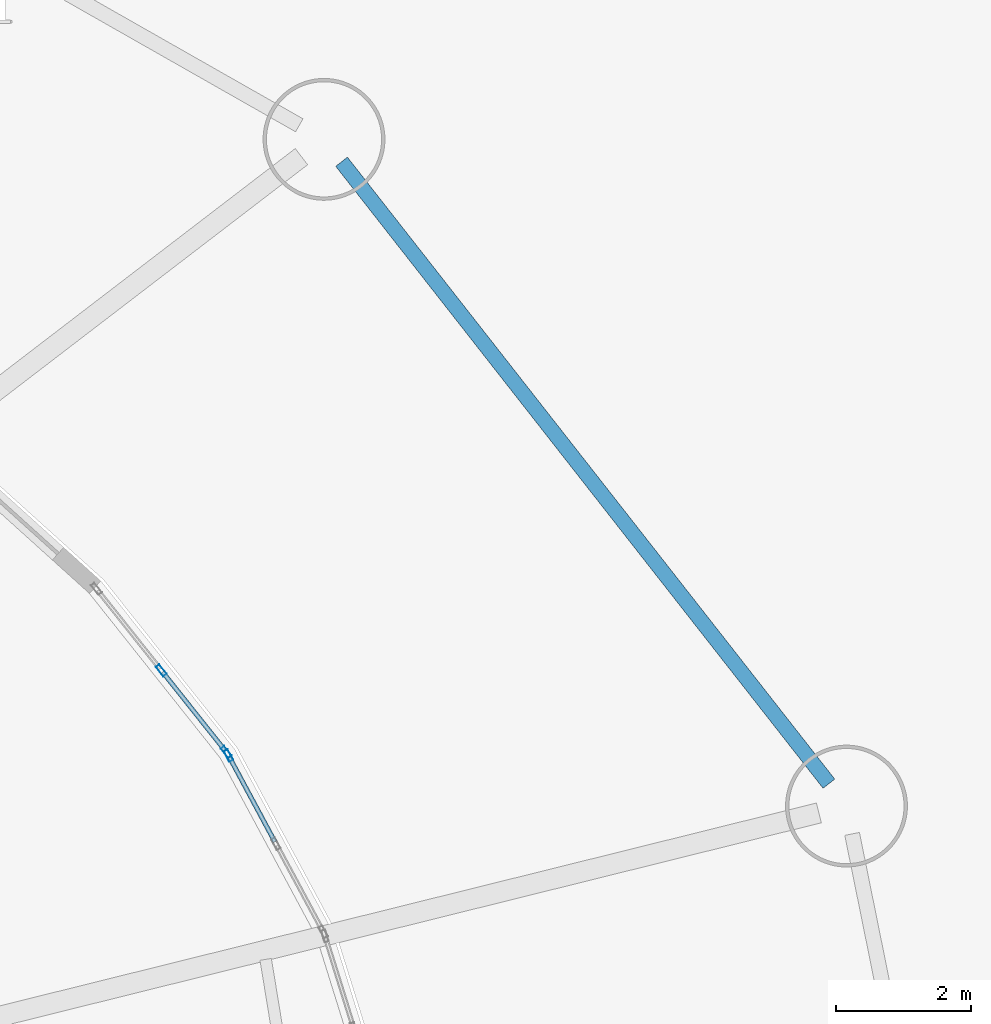
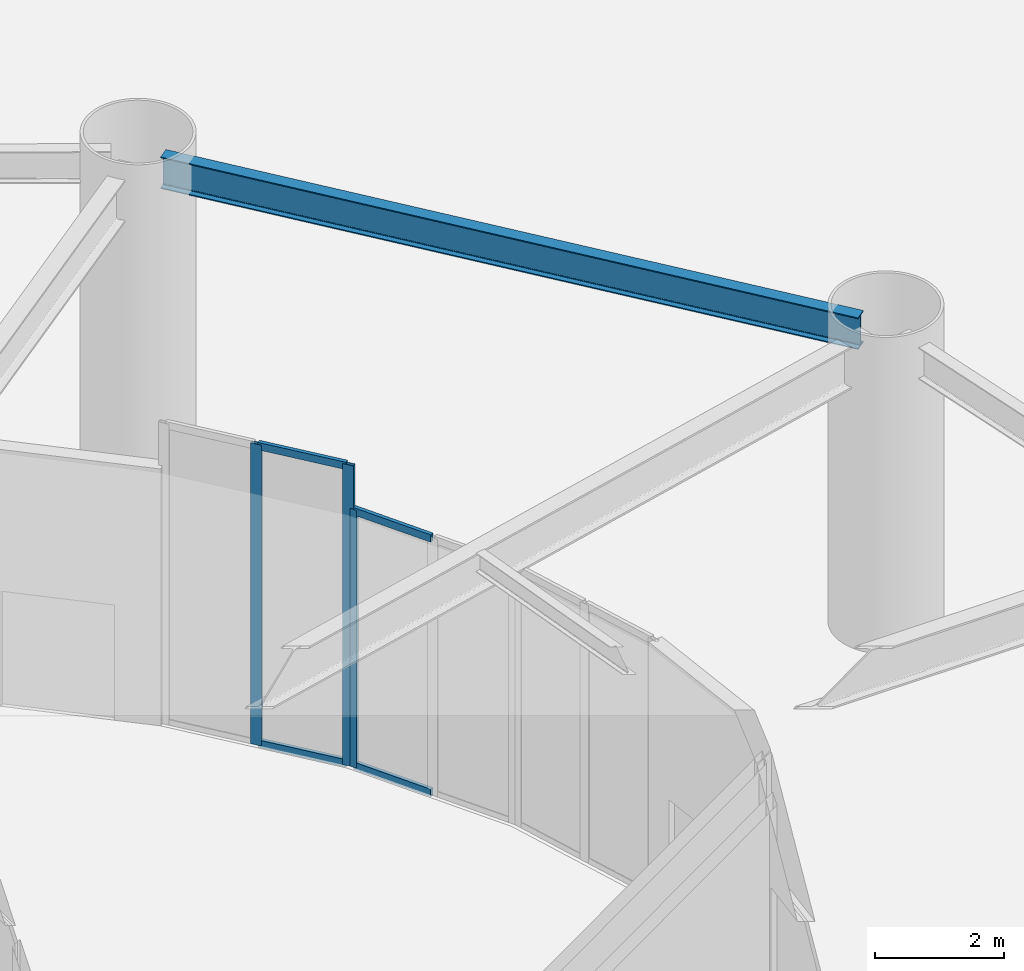
# One storey, part 24 of 46: 7 members, 1 beam, 2 elements without a shape of their own.
"""IFC4 building model written with IfcOpenShell, lengths in metres."""

from ifc_helpers import new_model, si_unit, direction, frame, origin, origin_2d, place, context, subcontext, project, spatial, hollow_rectangle, i_section, extrude, source, transform, mapped, material, layer, layer_set, material_profile, profile_set, type_object, element, aggregate, save


model = new_model("IFC4")

# Units and contexts
model_context = context("Model", 3, precision=1e-05, world=origin(), true_north=direction((0.0, 1.0)))
body_context = subcontext(model_context, "Body", "Model", "MODEL_VIEW")
ifc_project = project(units=[si_unit("LENGTHUNIT", "METRE"), si_unit("AREAUNIT", "SQUARE_METRE"), si_unit("VOLUMEUNIT", "CUBIC_METRE"), si_unit("PLANEANGLEUNIT", "RADIAN"), si_unit("MASSUNIT", "GRAM", prefix="KILO")], contexts=[model_context])

# Site, building, storey
site_placement = place(None, origin())
site = spatial("IfcSite", under=ifc_project, at=site_placement, CompositionType="ELEMENT")
building_placement = place(site_placement, origin())
building = spatial("IfcBuilding", under=site, at=building_placement, Name="Linh Dai School and Residence Tower", CompositionType="ELEMENT")
storey_placement = place(building_placement, origin())
storey = spatial("IfcBuildingStorey", under=building, at=storey_placement, Name="L00", CompositionType="ELEMENT", Elevation=0.0)

# Beam
ifc_material_1 = material(Name="Structural Steel S355JR", Category="steel")
ifc_material_profile_1 = material_profile(ifc_material_1, i_section(OverallWidth=0.219970703125, OverallDepth=0.60009765625, WebThickness=0.011962890625, FlangeThickness=0.01904296875, FilletRadius=0.02392578125, at=origin_2d()), Name="IPE 600")
ifc_profile_set_1 = profile_set([ifc_material_profile_1], Name="Structural Steel S355JR")
beam_type = type_object("IfcBeamType", Name="BM-RB60", PredefinedType="BEAM", material=ifc_profile_set_1)
beam_placement = place(storey_placement, frame((66.161376953125, 34.885986328125, 5.39990234375), z_axis=(-0.616811949607, 0.787110550572, 0.0), x_axis=(-0.787110550572, -0.616811949607, 0.0)))
element("IfcBeam", 1, at=beam_placement, inside=storey, type_object=beam_type, Name="L00 Perimeter Elliptical Ring Beam 02", PredefinedType="BEAM", context=body_context, shape_type="SweptSolid", body=[
    extrude(i_section(OverallWidth=0.219970703125, OverallDepth=0.60009765625, WebThickness=0.011962890625, FlangeThickness=0.01904296875, FilletRadius=0.02392578125, at=origin_2d()), origin(), (0.0, 0.0, 1.0), 11.668212890625),
])

# Curtain wall, members
ifc_material_2 = material(Name="Aluminium Anodised Curtain Wall", Category="aluminium")
ifc_layer = layer(ifc_material_2, 0.179931640625)
ifc_layer_set = layer_set([ifc_layer], Name="Aluminium Anodised Curtain Wall")
curtain_wall_type = type_object("IfcCurtainWallType", Name="CW-SYS-1", PredefinedType="USERDEFINED", material=ifc_layer_set)
curtain_wall_1_placement = place(storey_placement, origin())
curtain_wall_1 = element("IfcCurtainWall", 2, at=curtain_wall_1_placement, inside=storey, type_object=curtain_wall_type, Name="L00 CW1 Curtain Wall 03", ObjectType="UNITISED CURTAIN WALL", PredefinedType="USERDEFINED")
ifc_material_3 = material(Name="Aluminium Alloy 6063-T6", Category="aluminium")
ifc_material_profile_2 = material_profile(ifc_material_3, hollow_rectangle(XDim=0.06494140625, YDim=0.179931640625, WallThickness=0.00390625, at=origin_2d()), Name="RHS 180x65x4")
ifc_profile_set_2 = profile_set([ifc_material_profile_2], Name="Aluminium Alloy 6063-T6")
member_type_1 = type_object("IfcMemberType", Name="CW-SYS-1-MUL", PredefinedType="MULLION", material=ifc_profile_set_2)
shared_shape_1 = source(origin(), body_context, "Body", "SweptSolid", [
    extrude(hollow_rectangle(XDim=0.06494140625, YDim=0.179931640625, WallThickness=0.00390625, at=origin_2d()), origin(), (0.0, 0.0, 1.0), 4.885009765625),
])
member_1_placement = place(storey_placement, frame((57.295166015625, 35.30126953125, 0.0), z_axis=(0.0, 0.0, 1.0), x_axis=(0.880871524135, 0.473355424568, 0.0)))
member_1 = element("IfcMember", 3, at=member_1_placement, type_object=member_type_1, Name="CW1 mullion 1", PredefinedType="MULLION", context=body_context, shape_type="MappedRepresentation", body=[
    mapped(shared_shape_1, transform((0.0, 0.0, 0.0), x_axis=(1.0, 0.0, 0.0), y_axis=(0.0, 1.0, 0.0), z_axis=(0.0, 0.0, 1.0), scale=1.0)),
])
ifc_material_profile_3 = material_profile(ifc_material_3, hollow_rectangle(XDim=0.06494140625, YDim=0.139892578125, WallThickness=0.00390625, at=origin_2d()), Name="RHS 140x65x4")
ifc_profile_set_3 = profile_set([ifc_material_profile_3], Name="Aluminium Alloy 6063-T6")
member_type_2 = type_object("IfcMemberType", Name="CW-SYS-1-TRN", PredefinedType="USERDEFINED", material=ifc_profile_set_3)
shared_shape_2 = source(origin(), body_context, "Body", "SweptSolid", [
    extrude(hollow_rectangle(XDim=0.06494140625, YDim=0.139892578125, WallThickness=0.00390625, at=origin_2d()), origin(), (0.0, 0.0, 1.0), 1.41357421875),
])
member_2_placement = place(storey_placement, frame((57.310546875, 35.272705078125, 0.032470703125), z_axis=(0.473409612906, -0.880842402708, 0.0), x_axis=(0.880842402708, 0.473409612906, 0.0)))
member_2 = element("IfcMember", 4, at=member_2_placement, type_object=member_type_2, Name="CW1 transom 1.1", ObjectType="TRANSOM", PredefinedType="USERDEFINED", context=body_context, shape_type="MappedRepresentation", body=[
    mapped(shared_shape_2, transform((0.0, 0.0, 0.0), x_axis=(1.0, 0.0, 0.0), y_axis=(0.0, 1.0, 0.0), z_axis=(0.0, 0.0, 1.0), scale=1.0)),
])
member_3_placement = place(storey_placement, frame((57.310546875, 35.272705078125, 4.8525390625), z_axis=(0.473409612906, -0.880842402708, 0.0), x_axis=(0.880842402708, 0.473409612906, 0.0)))
member_3 = element("IfcMember", 5, at=member_3_placement, type_object=member_type_2, Name="CW1 transom 1.2", ObjectType="TRANSOM", PredefinedType="USERDEFINED", context=body_context, shape_type="MappedRepresentation", body=[
    mapped(shared_shape_2, transform((0.0, 0.0, 0.0), x_axis=(1.0, 0.0, 0.0), y_axis=(0.0, 1.0, 0.0), z_axis=(0.0, 0.0, 1.0), scale=1.0)),
])
aggregate(curtain_wall_1, [member_1, member_2, member_3])

curtain_wall_2_placement = place(storey_placement, origin())
curtain_wall_2 = element("IfcCurtainWall", 6, at=curtain_wall_2_placement, inside=storey, type_object=curtain_wall_type, Name="L00 CW1 Curtain Wall 04", ObjectType="UNITISED CURTAIN WALL", PredefinedType="USERDEFINED")
shared_shape_3 = source(origin(), body_context, "Body", "SweptSolid", [
    extrude(hollow_rectangle(XDim=0.06494140625, YDim=0.179931640625, WallThickness=0.00390625, at=origin_2d()), origin(), (0.0, 0.0, 1.0), 5.699951171875),
])
member_4_placement = place(storey_placement, frame((56.302734375, 36.55908203125, 0.0), z_axis=(0.0, 0.0, 1.0), x_axis=(0.782772825069, 0.622307564098, 0.0)))
member_4 = element("IfcMember", 7, at=member_4_placement, type_object=member_type_1, Name="CW1 mullion 2", PredefinedType="MULLION", context=body_context, shape_type="MappedRepresentation", body=[
    mapped(shared_shape_3, transform((0.0, 0.0, 0.0), x_axis=(1.0, 0.0, 0.0), y_axis=(0.0, 1.0, 0.0), z_axis=(0.0, 0.0, 1.0), scale=1.0)),
])
member_5_placement = place(storey_placement, frame((57.259765625, 35.355224609375, 0.0), z_axis=(0.0, 0.0, 1.0), x_axis=(0.782772825069, 0.622307564098, 0.0)))
member_5 = element("IfcMember", 8, at=member_5_placement, type_object=member_type_1, Name="CW1 mullion 3", PredefinedType="MULLION", context=body_context, shape_type="MappedRepresentation", body=[
    mapped(shared_shape_3, transform((0.0, 0.0, 0.0), x_axis=(1.0, 0.0, 0.0), y_axis=(0.0, 1.0, 0.0), z_axis=(0.0, 0.0, 1.0), scale=1.0)),
])
shared_shape_4 = source(origin(), body_context, "Body", "SweptSolid", [
    extrude(hollow_rectangle(XDim=0.06494140625, YDim=0.139892578125, WallThickness=0.00390625, at=origin_2d()), origin(), (0.0, 0.0, 1.0), 1.47265625),
])
member_6_placement = place(storey_placement, frame((56.322998046875, 36.53369140625, 0.032470703125), z_axis=(0.622306638591, -0.782773560849, 0.0), x_axis=(0.782773560849, 0.622306638591, 0.0)))
member_6 = element("IfcMember", 9, at=member_6_placement, type_object=member_type_2, Name="CW1 transom 2.1", ObjectType="TRANSOM", PredefinedType="USERDEFINED", context=body_context, shape_type="MappedRepresentation", body=[
    mapped(shared_shape_4, transform((0.0, 0.0, 0.0), x_axis=(1.0, 0.0, 0.0), y_axis=(0.0, 1.0, 0.0), z_axis=(0.0, 0.0, 1.0), scale=1.0)),
])
member_7_placement = place(storey_placement, frame((56.322998046875, 36.53369140625, 5.66748046875), z_axis=(0.622306638591, -0.782773560849, 0.0), x_axis=(0.782773560849, 0.622306638591, 0.0)))
member_7 = element("IfcMember", 10, at=member_7_placement, type_object=member_type_2, Name="CW1 transom 2.2", ObjectType="TRANSOM", PredefinedType="USERDEFINED", context=body_context, shape_type="MappedRepresentation", body=[
    mapped(shared_shape_4, transform((0.0, 0.0, 0.0), x_axis=(1.0, 0.0, 0.0), y_axis=(0.0, 1.0, 0.0), z_axis=(0.0, 0.0, 1.0), scale=1.0)),
])
aggregate(curtain_wall_2, [member_4, member_5, member_6, member_7])

save(model, "model.ifc")
